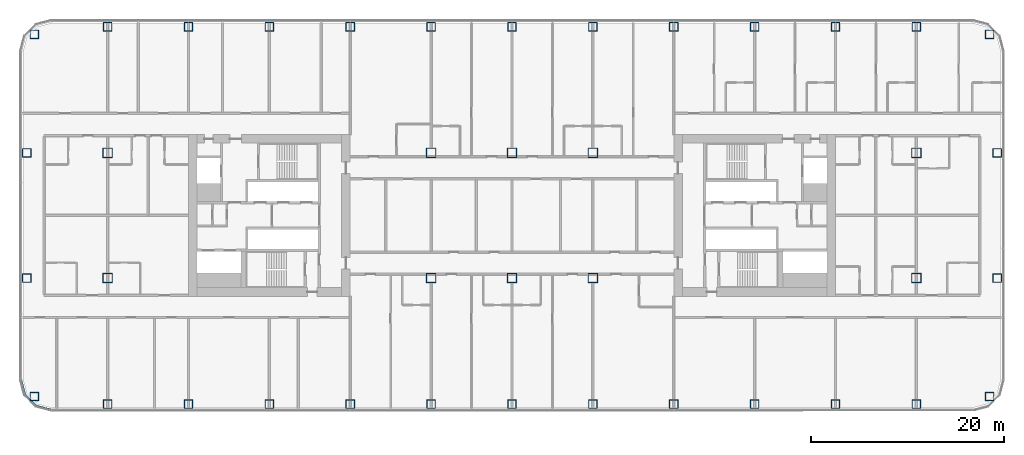
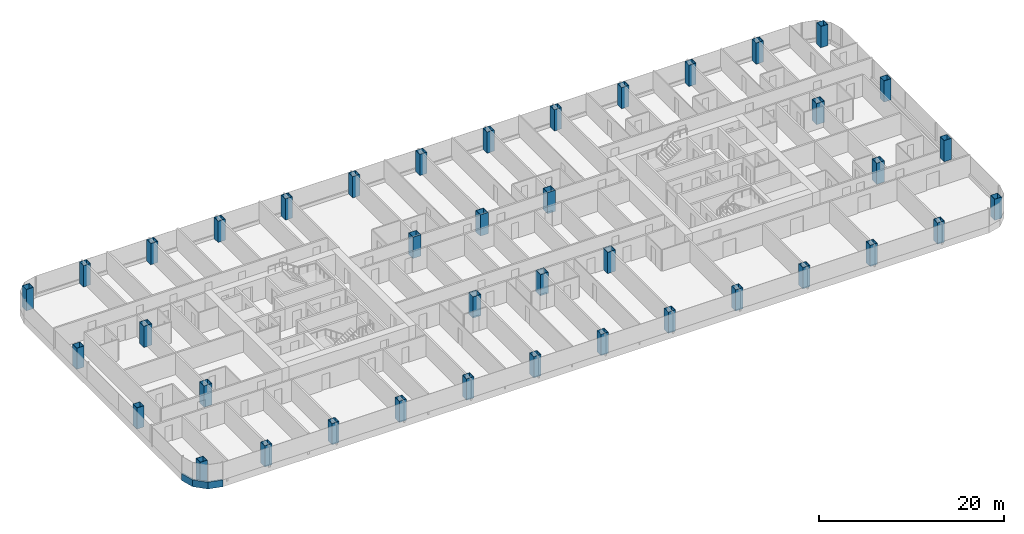
# One storey, part 1 of 28: 40 columns, 1 member, 1 element without a shape of its own.
"""IFC4 building model written with IfcOpenShell, lengths in metres."""

from ifc_helpers import new_model, si_unit, direction, frame, origin, origin_2d, place, context, subcontext, project, spatial, polyline, rectangle, hollow_rectangle, outline, extrude, material, layer, layer_set, material_profile, profile_set, type_object, element, aggregate, save


model = new_model("IFC4")

# Units and contexts
model_context = context("Model", 3, precision=1e-05, world=origin(), true_north=direction((0.0, 1.0)))
body_context = subcontext(model_context, "Body", "Model", "MODEL_VIEW")
ifc_project = project(units=[si_unit("LENGTHUNIT", "METRE"), si_unit("AREAUNIT", "SQUARE_METRE"), si_unit("VOLUMEUNIT", "CUBIC_METRE"), si_unit("PLANEANGLEUNIT", "RADIAN"), si_unit("MASSUNIT", "GRAM", prefix="KILO")], contexts=[model_context])

# Site, building, storey
site_placement = place(None, origin())
site = spatial("IfcSite", under=ifc_project, at=site_placement, CompositionType="ELEMENT")
building_placement = place(site_placement, origin())
building = spatial("IfcBuilding", under=site, at=building_placement, Name="Hakoniwa Tower and Hamabe Station Hall", CompositionType="ELEMENT")
storey_placement = place(building_placement, frame((0.0, 0.0, 32.60009765625)))
storey = spatial("IfcBuildingStorey", under=building, at=storey_placement, Name="L08", CompositionType="ELEMENT", Elevation=32.60009765625)

# Columns
ifc_material_1 = material(Name="Steel SN490C", Category="steel")
ifc_material_profile_1 = material_profile(ifc_material_1, hollow_rectangle(XDim=1.0, YDim=1.0, WallThickness=0.0400390625, at=origin_2d()), Name="BX-1000x1000x40")
ifc_profile_set_1 = profile_set([ifc_material_profile_1], Name="Steel SN490C")
column_type_1 = type_object("IfcColumnType", Name="COLUMN BX-1000x1000x40", PredefinedType="COLUMN", material=ifc_profile_set_1)
for number, where, z_axis, x_axis, name in (
    (1, (-42.0, -6.5, 0.0), (0.0, 0.0, 1.0), (1.0, 0.0, 0.0), "Column B1-2-C1"),
    (2, (-42.0, 6.5, 0.0), (0.0, 0.0, 1.0), (1.0, 0.0, 0.0), "Column B1-2-E1"),
    (3, (-8.39990234375, -6.5, 0.0), (0.0, 0.0, 1.0), (1.0, 0.0, 0.0), "Column B1-6-C1"),
    (4, (-8.39990234375, 6.5, 0.0), (0.0, 0.0, 1.0), (1.0, 0.0, 0.0), "Column B1-6-E1"),
    (5, (0.0, -6.5, 0.0), (0.0, 0.0, 1.0), (1.0, 0.0, 0.0), "Column B1-7-C1"),
    (6, (0.0, 6.5, 0.0), (0.0, 0.0, 1.0), (1.0, 0.0, 0.0), "Column B1-7-E1"),
    (7, (8.39990234375, -6.5, 0.0), (0.0, 0.0, 1.0), (1.0, 0.0, 0.0), "Column B1-8-C1"),
    (8, (8.39990234375, 6.5, 0.0), (0.0, 0.0, 1.0), (1.0, 0.0, 0.0), "Column B1-8-E1"),
    (9, (42.0, -6.5, 0.0), (0.0, 0.0, 1.0), (1.0, 0.0, 0.0), "Column B1-12-C1"),
    (10, (42.0, 6.5, 0.0), (0.0, 0.0, 1.0), (1.0, 0.0, 0.0), "Column B1-12-E1"),
):
    element("IfcColumn", number, at=place(storey_placement, frame(where, z_axis=z_axis, x_axis=x_axis)), inside=storey, type_object=column_type_1, Name=name, PredefinedType="COLUMN", context=body_context, shape_type="SweptSolid", body=[
        extrude(hollow_rectangle(XDim=1.0, YDim=1.0, WallThickness=0.0400390625, at=origin_2d()), origin(), (0.0, 0.0, 1.0), 2.7998046875),
    ])
ifc_material_2 = material(Name="Steel SN490C", Category="steel")
ifc_material_profile_2 = material_profile(ifc_material_2, hollow_rectangle(XDim=0.89990234375, YDim=0.89990234375, WallThickness=0.035888671875, at=origin_2d()), Name="BX-900x900x36")
ifc_profile_set_2 = profile_set([ifc_material_profile_2], Name="Steel SN490C")
column_type_2 = type_object("IfcColumnType", Name="COLUMN BX-900x900x36", PredefinedType="COLUMN", material=ifc_profile_set_2)
for number, where, z_axis, x_axis, name in (
    (11, (-49.60302734375, -18.802978515625, 0.0), (0.0, 0.0, 1.0), (1.0, 0.0, 0.0), "Column B1-1-A1"),
    (12, (-50.39990234375, -6.5, 0.0), (0.0, 0.0, 1.0), (1.0, 0.0, 0.0), "Column B1-1-C1"),
    (13, (-50.39990234375, 6.5, 0.0), (0.0, 0.0, 1.0), (1.0, 0.0, 0.0), "Column B1-1-E1"),
    (14, (-49.60302734375, 18.802978515625, 0.0), (0.0, 0.0, 1.0), (1.0, 0.0, 0.0), "Column B1-1-G1"),
    (15, (-42.0, -19.60009765625, 0.0), (0.0, 0.0, 1.0), (1.0, 0.0, 0.0), "Column B1-2-A1"),
    (16, (-42.0, 19.60009765625, 0.0), (0.0, 0.0, 1.0), (1.0, 0.0, 0.0), "Column B1-2-G1"),
    (17, (-33.60009765625, -19.60009765625, 0.0), (0.0, 0.0, 1.0), (1.0, 0.0, 0.0), "Column B1-3-A1"),
    (18, (-33.60009765625, 19.60009765625, 0.0), (0.0, 0.0, 1.0), (1.0, 0.0, 0.0), "Column B1-3-G1"),
    (19, (-25.199951171875, -19.60009765625, 0.0), (0.0, 0.0, 1.0), (1.0, 0.0, 0.0), "Column B1-4-A1"),
    (20, (-25.199951171875, 19.60009765625, 0.0), (0.0, 0.0, 1.0), (1.0, 0.0, 0.0), "Column B1-4-G1"),
    (21, (-16.800048828125, -19.60009765625, 0.0), (0.0, 0.0, 1.0), (1.0, 0.0, 0.0), "Column B1-5-A1"),
    (22, (-16.800048828125, 19.60009765625, 0.0), (0.0, 0.0, 1.0), (1.0, 0.0, 0.0), "Column B1-5-G1"),
    (23, (-8.39990234375, -19.60009765625, 0.0), (0.0, 0.0, 1.0), (1.0, 0.0, 0.0), "Column B1-6-A1"),
    (24, (-8.39990234375, 19.60009765625, 0.0), (0.0, 0.0, 1.0), (1.0, 0.0, 0.0), "Column B1-6-G1"),
    (25, (0.0, -19.60009765625, 0.0), (0.0, 0.0, 1.0), (1.0, 0.0, 0.0), "Column B1-7-A1"),
    (26, (0.0, 19.60009765625, 0.0), (0.0, 0.0, 1.0), (1.0, 0.0, 0.0), "Column B1-7-G1"),
    (27, (8.39990234375, -19.60009765625, 0.0), (0.0, 0.0, 1.0), (1.0, 0.0, 0.0), "Column B1-8-A1"),
    (28, (8.39990234375, 19.60009765625, 0.0), (0.0, 0.0, 1.0), (1.0, 0.0, 0.0), "Column B1-8-G1"),
    (29, (16.800048828125, -19.60009765625, 0.0), (0.0, 0.0, 1.0), (1.0, 0.0, 0.0), "Column B1-9-A1"),
    (30, (16.800048828125, 19.60009765625, 0.0), (0.0, 0.0, 1.0), (1.0, 0.0, 0.0), "Column B1-9-G1"),
    (31, (25.199951171875, -19.60009765625, 0.0), (0.0, 0.0, 1.0), (1.0, 0.0, 0.0), "Column B1-10-A1"),
    (32, (25.199951171875, 19.60009765625, 0.0), (0.0, 0.0, 1.0), (1.0, 0.0, 0.0), "Column B1-10-G1"),
    (33, (33.60009765625, -19.60009765625, 0.0), (0.0, 0.0, 1.0), (1.0, 0.0, 0.0), "Column B1-11-A1"),
    (34, (33.60009765625, 19.60009765625, 0.0), (0.0, 0.0, 1.0), (1.0, 0.0, 0.0), "Column B1-11-G1"),
    (35, (42.0, -19.60009765625, 0.0), (0.0, 0.0, 1.0), (1.0, 0.0, 0.0), "Column B1-12-A1"),
    (36, (42.0, 19.60009765625, 0.0), (0.0, 0.0, 1.0), (1.0, 0.0, 0.0), "Column B1-12-G1"),
    (37, (49.60302734375, -18.802978515625, 0.0), (0.0, 0.0, 1.0), (1.0, 0.0, 0.0), "Column B1-13-A1"),
    (38, (50.39990234375, -6.5, 0.0), (0.0, 0.0, 1.0), (1.0, 0.0, 0.0), "Column B1-13-C1"),
    (39, (50.39990234375, 6.5, 0.0), (0.0, 0.0, 1.0), (1.0, 0.0, 0.0), "Column B1-13-E1"),
    (40, (49.60302734375, 18.802978515625, 0.0), (0.0, 0.0, 1.0), (1.0, 0.0, 0.0), "Column B1-13-G1"),
):
    element("IfcColumn", number, at=place(storey_placement, frame(where, z_axis=z_axis, x_axis=x_axis)), inside=storey, type_object=column_type_2, Name=name, PredefinedType="COLUMN", context=body_context, shape_type="SweptSolid", body=[
        extrude(hollow_rectangle(XDim=0.89990234375, YDim=0.89990234375, WallThickness=0.035888671875, at=origin_2d()), origin(), (0.0, 0.0, 1.0), 2.7998046875),
    ])

# Curtain wall, member
ifc_material_3 = material(Name="Dark low-e laminated glass", Category="glass")
ifc_layer = layer(ifc_material_3, 0.199951171875)
ifc_layer_set = layer_set([ifc_layer], Name="CW-1 UNITISED GUEST")
curtain_wall_type = type_object("IfcCurtainWallType", Name="CW-1 UNITISED GUEST", PredefinedType="NOTDEFINED", material=ifc_layer_set)
curtain_wall_placement = place(storey_placement, origin())
curtain_wall = element("IfcCurtainWall", 41, at=curtain_wall_placement, inside=storey, type_object=curtain_wall_type, Name="CW-1 curtain wall", PredefinedType="NOTDEFINED")
ifc_material_4 = material(Name="Aluminium 6063-T5 black anodised", Category="aluminium")
ifc_material_profile_3 = material_profile(ifc_material_4, rectangle(XDim=0.199951171875, YDim=0.89990234375, at=origin_2d()), Name="CW SLAB-EDGE BAND 900X200")
ifc_profile_set_3 = profile_set([ifc_material_profile_3], Name="Aluminium 6063-T5 black anodised")
member_type = type_object("IfcMemberType", Name="CW SLAB-EDGE BAND 900X200", PredefinedType="USERDEFINED", material=ifc_profile_set_3)
member_placement = place(storey_placement, frame((0.0, 0.0, -0.550048828125)))
member = element("IfcMember", 42, at=member_placement, type_object=member_type, Name="CW-1 transom", ObjectType="TRANSOM", PredefinedType="USERDEFINED", context=body_context, shape_type="SweptSolid", body=[
    extrude(outline(polyline([(-51.10009765625, -17.03955078125), (-50.6669921875, -18.6552734375), (-49.455322265625, -19.866943359375), (-47.839599609375, -20.300048828125), (-47.787841796875, -20.10693359375), (-49.351806640625, -19.687744140625), (-50.48779296875, -18.5517578125), (-50.90673828125, -16.98779296875), (-51.10009765625, -17.03955078125)])), origin(), (0.0, 0.0, 1.0), 0.89990234375),
])
aggregate(curtain_wall, [member])

save(model, "model.ifc")
